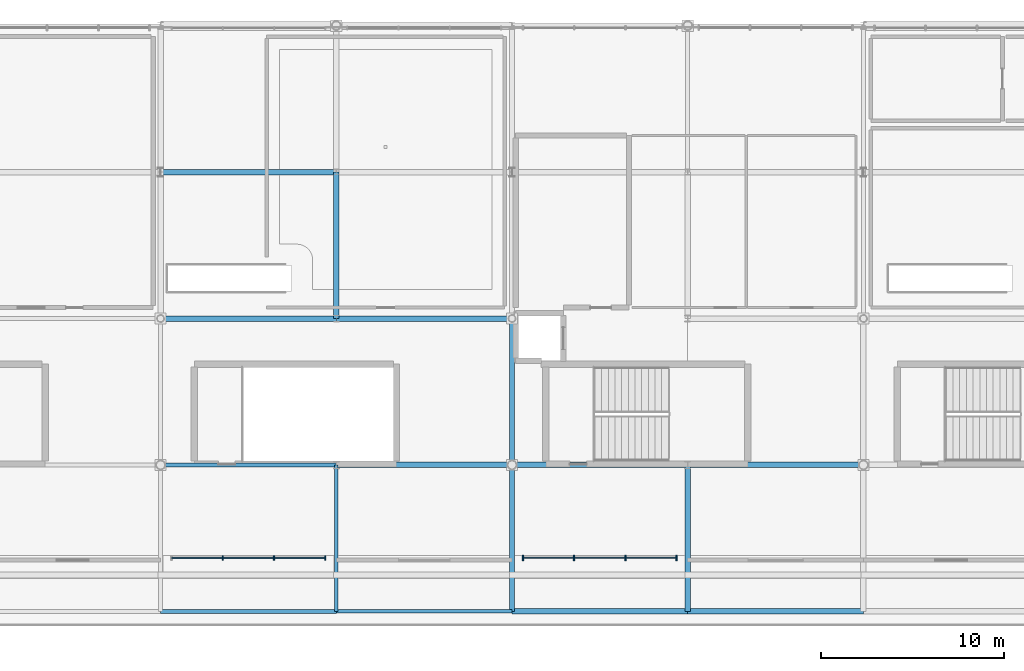
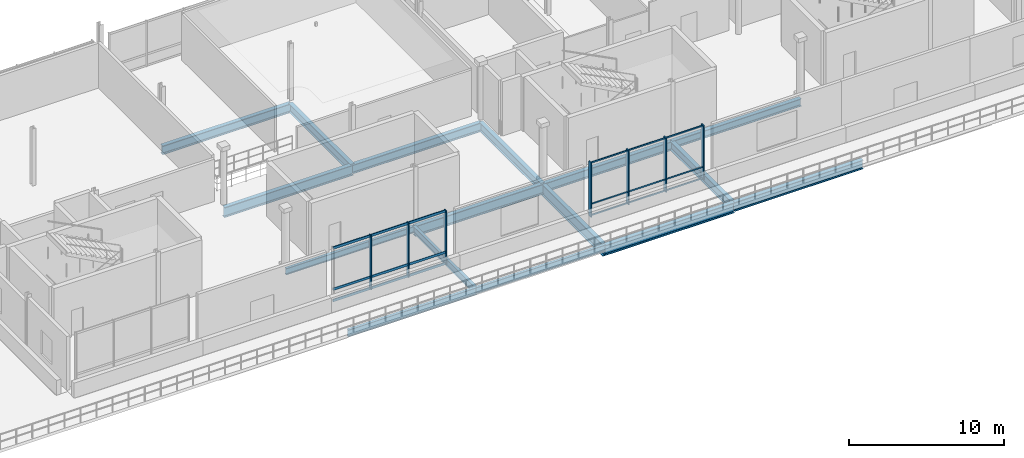
# One storey, part 7 of 26: 16 beams, 13 members, 2 elements without a shape of their own.
"""IFC4 building model written with IfcOpenShell, lengths in metres."""

from ifc_helpers import new_model, si_unit, direction, frame, origin, origin_2d, place, context, subcontext, project, spatial, rectangle, i_section, extrude, material, material_profile, profile_set, type_object, element, aggregate, save


model = new_model("IFC4")

# Units and contexts
model_context = context("Model", 3, precision=1e-05, world=origin(), true_north=direction((0.0, 1.0)))
body_context = subcontext(model_context, "Body", "Model", "MODEL_VIEW")
ifc_project = project(units=[si_unit("LENGTHUNIT", "METRE"), si_unit("AREAUNIT", "SQUARE_METRE"), si_unit("VOLUMEUNIT", "CUBIC_METRE"), si_unit("PLANEANGLEUNIT", "RADIAN"), si_unit("MASSUNIT", "GRAM", prefix="KILO")], contexts=[model_context])

# Site, building, storey
site_placement = place(None, origin())
site = spatial("IfcSite", under=ifc_project, at=site_placement, CompositionType="ELEMENT")
building_placement = place(site_placement, origin())
building = spatial("IfcBuilding", under=site, at=building_placement, Name="Danafjord Basin Convention Centre", CompositionType="ELEMENT")
storey_placement = place(building_placement, frame((0.0, 0.0, 24.89990234375)))
storey = spatial("IfcBuildingStorey", under=building, at=storey_placement, Name="L05", CompositionType="ELEMENT", Elevation=24.89990234375)

# Beams
ifc_material_1 = material(Name="Steel S355", Category="steel")
ifc_material_profile_1 = material_profile(ifc_material_1, i_section(OverallWidth=0.300048828125, OverallDepth=0.60009765625, WebThickness=0.015380859375, FlangeThickness=0.030029296875, FilletRadius=0.027099609375, at=origin_2d()), Name="HEB 600")
ifc_profile_set_1 = profile_set([ifc_material_profile_1], Name="Steel S355")
beam_type_1 = type_object("IfcBeamType", Name="BEAM-BM-HEB600", PredefinedType="BEAM", material=ifc_profile_set_1)
beam_1_placement = place(storey_placement, frame((57.60009765625, 16.0, -0.5498046875), z_axis=(1.0, 0.0, 0.0), x_axis=(0.0, 1.0, 0.0)))
element("IfcBeam", 1, at=beam_1_placement, inside=storey, type_object=beam_type_1, Name="L05 girder BM-HEB600", PredefinedType="BEAM", context=body_context, shape_type="SweptSolid", body=[
    extrude(i_section(OverallWidth=0.300048828125, OverallDepth=0.60009765625, WebThickness=0.015380859375, FlangeThickness=0.030029296875, FilletRadius=0.027099609375, at=origin_2d()), origin(), (0.0, 0.0, 1.0), 9.599853515625),
])
ifc_material_profile_2 = material_profile(ifc_material_1, i_section(OverallWidth=0.300048828125, OverallDepth=0.699951171875, WebThickness=0.01708984375, FlangeThickness=0.031982421875, FilletRadius=0.027099609375, at=origin_2d()), Name="HEB 700")
ifc_profile_set_2 = profile_set([ifc_material_profile_2], Name="Steel S355")
beam_type_2 = type_object("IfcBeamType", Name="BEAM-BM-HEB700", PredefinedType="BEAM", material=ifc_profile_set_2)
beam_2_placement = place(storey_placement, frame((28.800048828125, 32.0, -0.599853515625), z_axis=(1.0, 0.0, 0.0), x_axis=(0.0, 1.0, 0.0)))
element("IfcBeam", 2, at=beam_2_placement, inside=storey, type_object=beam_type_2, Name="L05 girder BM-HEB700", PredefinedType="BEAM", context=body_context, shape_type="SweptSolid", body=[
    extrude(i_section(OverallWidth=0.300048828125, OverallDepth=0.699951171875, WebThickness=0.01708984375, FlangeThickness=0.031982421875, FilletRadius=0.027099609375, at=origin_2d()), origin(), (0.0, 0.0, 1.0), 9.599853515625),
])
for number, where, z_axis, x_axis, name in (
    (3, (38.39990234375, 24.0, -0.599853515625), (1.0, 0.0, 0.0), (0.0, 1.0, 0.0), "L05 girder BM-HEB700"),
    (4, (48.0, 16.0, -0.599853515625), (1.0, 0.0, 0.0), (0.0, 1.0, 0.0), "L05 girder BM-HEB700"),
):
    element("IfcBeam", number, at=place(storey_placement, frame(where, z_axis=z_axis, x_axis=x_axis)), inside=storey, type_object=beam_type_2, Name=name, PredefinedType="BEAM", context=body_context, shape_type="SweptSolid", body=[
        extrude(i_section(OverallWidth=0.300048828125, OverallDepth=0.699951171875, WebThickness=0.01708984375, FlangeThickness=0.031982421875, FilletRadius=0.027099609375, at=origin_2d()), origin(), (0.0, 0.0, 1.0), 9.60009765625),
    ])
beam_3_placement = place(storey_placement, frame((57.60009765625, 8.0, -0.58984375), z_axis=(1.0, 0.0, 0.0), x_axis=(0.0, 1.0, 0.0)))
element("IfcBeam", 5, at=beam_3_placement, inside=storey, type_object=beam_type_2, Name="L05 girder BM-HEB700", PredefinedType="BEAM", context=body_context, shape_type="SweptSolid", body=[
    extrude(i_section(OverallWidth=0.300048828125, OverallDepth=0.699951171875, WebThickness=0.01708984375, FlangeThickness=0.031982421875, FilletRadius=0.027099609375, at=origin_2d()), origin(), (0.0, 0.0, 1.0), 9.599853515625),
])
for number, where, z_axis, x_axis, name in (
    (6, (38.39990234375, 24.0, -0.599853515625), (0.0, 1.0, 0.0), (-1.0, 0.0, 0.0), "L05 transverse girder BM-HEB700"),
    (7, (48.0, 16.0, -0.599853515625), (0.0, 1.0, 0.0), (-1.0, 0.0, 0.0), "L05 transverse girder BM-HEB700"),
    (8, (57.60009765625, 8.0, -0.599853515625), (0.0, 1.0, 0.0), (-1.0, 0.0, 0.0), "L05 transverse girder BM-HEB700"),
):
    element("IfcBeam", number, at=place(storey_placement, frame(where, z_axis=z_axis, x_axis=x_axis)), inside=storey, type_object=beam_type_2, Name=name, PredefinedType="BEAM", context=body_context, shape_type="SweptSolid", body=[
        extrude(i_section(OverallWidth=0.300048828125, OverallDepth=0.699951171875, WebThickness=0.01708984375, FlangeThickness=0.031982421875, FilletRadius=0.027099609375, at=origin_2d()), origin(), (0.0, 0.0, 1.0), 8.0),
    ])
ifc_material_profile_3 = material_profile(ifc_material_1, i_section(OverallWidth=0.300048828125, OverallDepth=0.800048828125, WebThickness=0.017578125, FlangeThickness=0.032958984375, FilletRadius=0.030029296875, at=origin_2d()), Name="HEB 800")
ifc_profile_set_3 = profile_set([ifc_material_profile_3], Name="Steel S355")
beam_type_3 = type_object("IfcBeamType", Name="BEAM-BM-HEB800", PredefinedType="BEAM", material=ifc_profile_set_3)
beam_4_placement = place(storey_placement, frame((28.800048828125, 24.0, -0.64990234375), z_axis=(1.0, 0.0, 0.0), x_axis=(0.0, 1.0, 0.0)))
element("IfcBeam", 9, at=beam_4_placement, inside=storey, type_object=beam_type_3, Name="L05 girder BM-HEB800", PredefinedType="BEAM", context=body_context, shape_type="SweptSolid", body=[
    extrude(i_section(OverallWidth=0.300048828125, OverallDepth=0.800048828125, WebThickness=0.017578125, FlangeThickness=0.032958984375, FilletRadius=0.030029296875, at=origin_2d()), origin(), (0.0, 0.0, 1.0), 9.599853515625),
])
for number, where, z_axis, x_axis, name in (
    (10, (38.39990234375, 16.0, -0.64990234375), (1.0, 0.0, 0.0), (0.0, 1.0, 0.0), "L05 girder BM-HEB800"),
    (11, (48.0, 8.0, -0.639892578125), (1.0, 0.0, 0.0), (0.0, 1.0, 0.0), "L05 girder BM-HEB800"),
):
    element("IfcBeam", number, at=place(storey_placement, frame(where, z_axis=z_axis, x_axis=x_axis)), inside=storey, type_object=beam_type_3, Name=name, PredefinedType="BEAM", context=body_context, shape_type="SweptSolid", body=[
        extrude(i_section(OverallWidth=0.300048828125, OverallDepth=0.800048828125, WebThickness=0.017578125, FlangeThickness=0.032958984375, FilletRadius=0.030029296875, at=origin_2d()), origin(), (0.0, 0.0, 1.0), 9.60009765625),
    ])
ifc_material_profile_4 = material_profile(ifc_material_1, i_section(OverallWidth=0.300048828125, OverallDepth=0.89990234375, WebThickness=0.0185546875, FlangeThickness=0.034912109375, FilletRadius=0.030029296875, at=origin_2d()), Name="HEB 900")
ifc_profile_set_4 = profile_set([ifc_material_profile_4], Name="Steel S355")
beam_type_4 = type_object("IfcBeamType", Name="BEAM-BM-HEB900", PredefinedType="BEAM", material=ifc_profile_set_4)
beam_5_placement = place(storey_placement, frame((48.0, 8.0, -0.699951171875), z_axis=(0.0, 1.0, 0.0), x_axis=(-1.0, 0.0, 0.0)))
element("IfcBeam", 12, at=beam_5_placement, inside=storey, type_object=beam_type_4, Name="L05 transverse girder BM-HEB900", PredefinedType="BEAM", context=body_context, shape_type="SweptSolid", body=[
    extrude(i_section(OverallWidth=0.300048828125, OverallDepth=0.89990234375, WebThickness=0.0185546875, FlangeThickness=0.034912109375, FilletRadius=0.030029296875, at=origin_2d()), origin(), (0.0, 0.0, 1.0), 8.0),
])
ifc_material_profile_5 = material_profile(ifc_material_1, i_section(OverallWidth=0.199951171875, OverallDepth=0.5, WebThickness=0.01025390625, FlangeThickness=0.01611328125, FilletRadius=0.02099609375, at=origin_2d()), Name="IPE 500")
ifc_profile_set_5 = profile_set([ifc_material_profile_5], Name="Steel S355")
beam_type_5 = type_object("IfcBeamType", Name="BEAM-BM-IPE500", PredefinedType="BEAM", material=ifc_profile_set_5)
beam_6_placement = place(storey_placement, frame((28.800048828125, 16.0, -0.5), z_axis=(1.0, 0.0, 0.0), x_axis=(0.0, 1.0, 0.0)))
element("IfcBeam", 13, at=beam_6_placement, inside=storey, type_object=beam_type_5, Name="L05 girder BM-IPE500", PredefinedType="BEAM", context=body_context, shape_type="SweptSolid", body=[
    extrude(i_section(OverallWidth=0.199951171875, OverallDepth=0.5, WebThickness=0.01025390625, FlangeThickness=0.01611328125, FilletRadius=0.02099609375, at=origin_2d()), origin(), (0.0, 0.0, 1.0), 9.599853515625),
])
beam_7_placement = place(storey_placement, frame((38.39990234375, 8.0, -0.489990234375), z_axis=(1.0, 0.0, 0.0), x_axis=(0.0, 1.0, 0.0)))
element("IfcBeam", 14, at=beam_7_placement, inside=storey, type_object=beam_type_5, Name="L05 girder BM-IPE500", PredefinedType="BEAM", context=body_context, shape_type="SweptSolid", body=[
    extrude(i_section(OverallWidth=0.199951171875, OverallDepth=0.5, WebThickness=0.01025390625, FlangeThickness=0.01611328125, FilletRadius=0.02099609375, at=origin_2d()), origin(), (0.0, 0.0, 1.0), 9.60009765625),
])
ifc_material_profile_6 = material_profile(ifc_material_1, i_section(OverallWidth=0.2099609375, OverallDepth=0.550048828125, WebThickness=0.010986328125, FlangeThickness=0.01708984375, FilletRadius=0.02392578125, at=origin_2d()), Name="IPE 550")
ifc_profile_set_6 = profile_set([ifc_material_profile_6], Name="Steel S355")
beam_type_6 = type_object("IfcBeamType", Name="BEAM-BM-IPE550", PredefinedType="BEAM", material=ifc_profile_set_6)
beam_8_placement = place(storey_placement, frame((28.800048828125, 8.0, -0.514892578125), z_axis=(1.0, 0.0, 0.0), x_axis=(0.0, 1.0, 0.0)))
element("IfcBeam", 15, at=beam_8_placement, inside=storey, type_object=beam_type_6, Name="L05 girder BM-IPE550", PredefinedType="BEAM", context=body_context, shape_type="SweptSolid", body=[
    extrude(i_section(OverallWidth=0.2099609375, OverallDepth=0.550048828125, WebThickness=0.010986328125, FlangeThickness=0.01708984375, FilletRadius=0.02392578125, at=origin_2d()), origin(), (0.0, 0.0, 1.0), 9.599853515625),
])
beam_9_placement = place(storey_placement, frame((38.39990234375, 8.0, -0.52490234375), z_axis=(0.0, 1.0, 0.0), x_axis=(-1.0, 0.0, 0.0)))
element("IfcBeam", 16, at=beam_9_placement, inside=storey, type_object=beam_type_6, Name="L05 transverse girder BM-IPE550", PredefinedType="BEAM", context=body_context, shape_type="SweptSolid", body=[
    extrude(i_section(OverallWidth=0.2099609375, OverallDepth=0.550048828125, WebThickness=0.010986328125, FlangeThickness=0.01708984375, FilletRadius=0.02392578125, at=origin_2d()), origin(), (0.0, 0.0, 1.0), 8.0),
])

# Curtain wall, members
ifc_material_2 = material(Name="Anodised aluminium and triple glazing", Category="aluminium")
curtain_wall_type = type_object("IfcCurtainWallType", Name="CW-CW-TERR", PredefinedType="NOTDEFINED", material=ifc_material_2)
curtain_wall_1_placement = place(storey_placement, origin())
curtain_wall_1 = element("IfcCurtainWall", 17, at=curtain_wall_1_placement, inside=storey, type_object=curtain_wall_type, Name="L05 CW-TERR unitised curtain wall bay 38", PredefinedType="NOTDEFINED")
ifc_material_3 = material(Name="Anodised aluminium EN AW-6060", Category="aluminium")
ifc_material_profile_7 = material_profile(ifc_material_3, rectangle(XDim=0.070068359375, YDim=0.260009765625, at=origin_2d()), Name="MULL 70x260")
ifc_profile_set_7 = profile_set([ifc_material_profile_7], Name="Anodised aluminium EN AW-6060")
member_type_1 = type_object("IfcMemberType", Name="MEM-ML-260", PredefinedType="MULLION", material=ifc_profile_set_7)
member_1_placement = place(storey_placement, frame((32.199951171875, 10.919921875, -0.02490234375), z_axis=(0.0, 0.0, 1.0), x_axis=(1.0, 0.0, 0.0)))
member_1 = element("IfcMember", 18, at=member_1_placement, type_object=member_type_1, Name="CW-L05-038 mullion 2", PredefinedType="MULLION", context=body_context, shape_type="SweptSolid", body=[
    extrude(rectangle(XDim=0.070068359375, YDim=0.260009765625, at=origin_2d()), origin(), (0.0, 0.0, 1.0), 4.294921875),
])
member_2_placement = place(storey_placement, frame((35.0, 10.919921875, -0.02490234375), z_axis=(0.0, 0.0, 1.0), x_axis=(1.0, 0.0, 0.0)))
member_2 = element("IfcMember", 19, at=member_2_placement, type_object=member_type_1, Name="CW-L05-038 mullion 3", PredefinedType="MULLION", context=body_context, shape_type="SweptSolid", body=[
    extrude(rectangle(XDim=0.070068359375, YDim=0.260009765625, at=origin_2d()), origin(), (0.0, 0.0, 1.0), 4.294921875),
])
member_3_placement = place(storey_placement, frame((37.800048828125, 10.919921875, -0.02490234375), z_axis=(0.0, 0.0, 1.0), x_axis=(1.0, 0.0, 0.0)))
member_3 = element("IfcMember", 20, at=member_3_placement, type_object=member_type_1, Name="CW-L05-038 mullion 4", PredefinedType="MULLION", context=body_context, shape_type="SweptSolid", body=[
    extrude(rectangle(XDim=0.070068359375, YDim=0.260009765625, at=origin_2d()), origin(), (0.0, 0.0, 1.0), 4.294921875),
])

curtain_wall_2_placement = place(storey_placement, origin())
curtain_wall_2 = element("IfcCurtainWall", 21, at=curtain_wall_2_placement, inside=storey, type_object=curtain_wall_type, Name="L05 CW-TERR unitised curtain wall bay 39", PredefinedType="NOTDEFINED")
ifc_material_profile_8 = material_profile(ifc_material_3, rectangle(XDim=0.080078125, YDim=0.300048828125, at=origin_2d()), Name="MULL 80x300")
ifc_profile_set_8 = profile_set([ifc_material_profile_8], Name="Anodised aluminium EN AW-6060")
member_type_2 = type_object("IfcMemberType", Name="MEM-ML-300", PredefinedType="MULLION", material=ifc_profile_set_8)
member_4_placement = place(storey_placement, frame((48.60009765625, 10.919921875, -0.02490234375), z_axis=(0.0, 0.0, 1.0), x_axis=(1.0, 0.0, 0.0)))
member_4 = element("IfcMember", 22, at=member_4_placement, type_object=member_type_2, Name="CW-L05-039 mullion 1", PredefinedType="MULLION", context=body_context, shape_type="SweptSolid", body=[
    extrude(rectangle(XDim=0.080078125, YDim=0.300048828125, at=origin_2d()), origin(), (0.0, 0.0, 1.0), 4.294921875),
])
member_5_placement = place(storey_placement, frame((51.39990234375, 10.919921875, -0.02490234375), z_axis=(0.0, 0.0, 1.0), x_axis=(1.0, 0.0, 0.0)))
member_5 = element("IfcMember", 23, at=member_5_placement, type_object=member_type_2, Name="CW-L05-039 mullion 2", PredefinedType="MULLION", context=body_context, shape_type="SweptSolid", body=[
    extrude(rectangle(XDim=0.080078125, YDim=0.300048828125, at=origin_2d()), origin(), (0.0, 0.0, 1.0), 4.294921875),
])
member_6_placement = place(storey_placement, frame((54.199951171875, 10.919921875, -0.02490234375), z_axis=(0.0, 0.0, 1.0), x_axis=(1.0, 0.0, 0.0)))
member_6 = element("IfcMember", 24, at=member_6_placement, type_object=member_type_2, Name="CW-L05-039 mullion 3", PredefinedType="MULLION", context=body_context, shape_type="SweptSolid", body=[
    extrude(rectangle(XDim=0.080078125, YDim=0.300048828125, at=origin_2d()), origin(), (0.0, 0.0, 1.0), 4.294921875),
])
member_7_placement = place(storey_placement, frame((57.0, 10.919921875, -0.02490234375), z_axis=(0.0, 0.0, 1.0), x_axis=(1.0, 0.0, 0.0)))
member_7 = element("IfcMember", 25, at=member_7_placement, type_object=member_type_2, Name="CW-L05-039 mullion 4", PredefinedType="MULLION", context=body_context, shape_type="SweptSolid", body=[
    extrude(rectangle(XDim=0.080078125, YDim=0.300048828125, at=origin_2d()), origin(), (0.0, 0.0, 1.0), 4.294921875),
])
ifc_material_profile_9 = material_profile(ifc_material_3, rectangle(XDim=0.06005859375, YDim=0.110107421875, at=origin_2d()), Name="TRAN 60x110")
ifc_profile_set_9 = profile_set([ifc_material_profile_9], Name="Anodised aluminium EN AW-6060")
member_type_3 = type_object("IfcMemberType", Name="MEM-TR-110", PredefinedType="USERDEFINED", material=ifc_profile_set_9)
member_8_placement = place(storey_placement, frame((48.60009765625, 10.919921875, 0.06005859375), z_axis=(1.0, 0.0, 0.0), x_axis=(0.0, 1.0, 0.0)))
member_8 = element("IfcMember", 26, at=member_8_placement, type_object=member_type_3, Name="CW-L05-039 transom 1", ObjectType="TRANSOM", PredefinedType="USERDEFINED", context=body_context, shape_type="SweptSolid", body=[
    extrude(rectangle(XDim=0.06005859375, YDim=0.110107421875, at=origin_2d()), origin(), (0.0, 0.0, 1.0), 8.39990234375),
])
member_9_placement = place(storey_placement, frame((48.60009765625, 10.919921875, 0.9501953125), z_axis=(1.0, 0.0, 0.0), x_axis=(0.0, 1.0, 0.0)))
member_9 = element("IfcMember", 27, at=member_9_placement, type_object=member_type_3, Name="CW-L05-039 transom 2", ObjectType="TRANSOM", PredefinedType="USERDEFINED", context=body_context, shape_type="SweptSolid", body=[
    extrude(rectangle(XDim=0.06005859375, YDim=0.110107421875, at=origin_2d()), origin(), (0.0, 0.0, 1.0), 8.39990234375),
])
member_10_placement = place(storey_placement, frame((48.60009765625, 10.919921875, 4.2001953125), z_axis=(1.0, 0.0, 0.0), x_axis=(0.0, 1.0, 0.0)))
member_10 = element("IfcMember", 28, at=member_10_placement, type_object=member_type_3, Name="CW-L05-039 transom 3", ObjectType="TRANSOM", PredefinedType="USERDEFINED", context=body_context, shape_type="SweptSolid", body=[
    extrude(rectangle(XDim=0.06005859375, YDim=0.110107421875, at=origin_2d()), origin(), (0.0, 0.0, 1.0), 8.39990234375),
])
aggregate(curtain_wall_2, [member_4, member_5, member_6, member_7, member_8, member_9, member_10])

# Member
ifc_material_profile_10 = material_profile(ifc_material_3, rectangle(XDim=0.06494140625, YDim=0.18994140625, at=origin_2d()), Name="TRAN 65x190")
ifc_profile_set_10 = profile_set([ifc_material_profile_10], Name="Anodised aluminium EN AW-6060")
member_type_4 = type_object("IfcMemberType", Name="MEM-TR-190", PredefinedType="USERDEFINED", material=ifc_profile_set_10)
member_11_placement = place(storey_placement, frame((29.39990234375, 10.919921875, 0.06005859375), z_axis=(1.0, 0.0, 0.0), x_axis=(0.0, 1.0, 0.0)))
member_11 = element("IfcMember", 29, at=member_11_placement, type_object=member_type_4, Name="CW-L05-038 transom 1", ObjectType="TRANSOM", PredefinedType="USERDEFINED", context=body_context, shape_type="SweptSolid", body=[
    extrude(rectangle(XDim=0.06494140625, YDim=0.18994140625, at=origin_2d()), origin(), (0.0, 0.0, 1.0), 8.400146484375),
])

member_12_placement = place(storey_placement, frame((29.39990234375, 10.919921875, 0.9501953125), z_axis=(1.0, 0.0, 0.0), x_axis=(0.0, 1.0, 0.0)))
member_12 = element("IfcMember", 30, at=member_12_placement, type_object=member_type_4, Name="CW-L05-038 transom 2", ObjectType="TRANSOM", PredefinedType="USERDEFINED", context=body_context, shape_type="SweptSolid", body=[
    extrude(rectangle(XDim=0.06494140625, YDim=0.18994140625, at=origin_2d()), origin(), (0.0, 0.0, 1.0), 8.400146484375),
])

member_13_placement = place(storey_placement, frame((29.39990234375, 10.919921875, 4.2001953125), z_axis=(1.0, 0.0, 0.0), x_axis=(0.0, 1.0, 0.0)))
member_13 = element("IfcMember", 31, at=member_13_placement, type_object=member_type_4, Name="CW-L05-038 transom 3", ObjectType="TRANSOM", PredefinedType="USERDEFINED", context=body_context, shape_type="SweptSolid", body=[
    extrude(rectangle(XDim=0.06494140625, YDim=0.18994140625, at=origin_2d()), origin(), (0.0, 0.0, 1.0), 8.400146484375),
])

aggregate(curtain_wall_1, [member_1, member_2, member_3, member_11, member_12, member_13])

save(model, "model.ifc")
